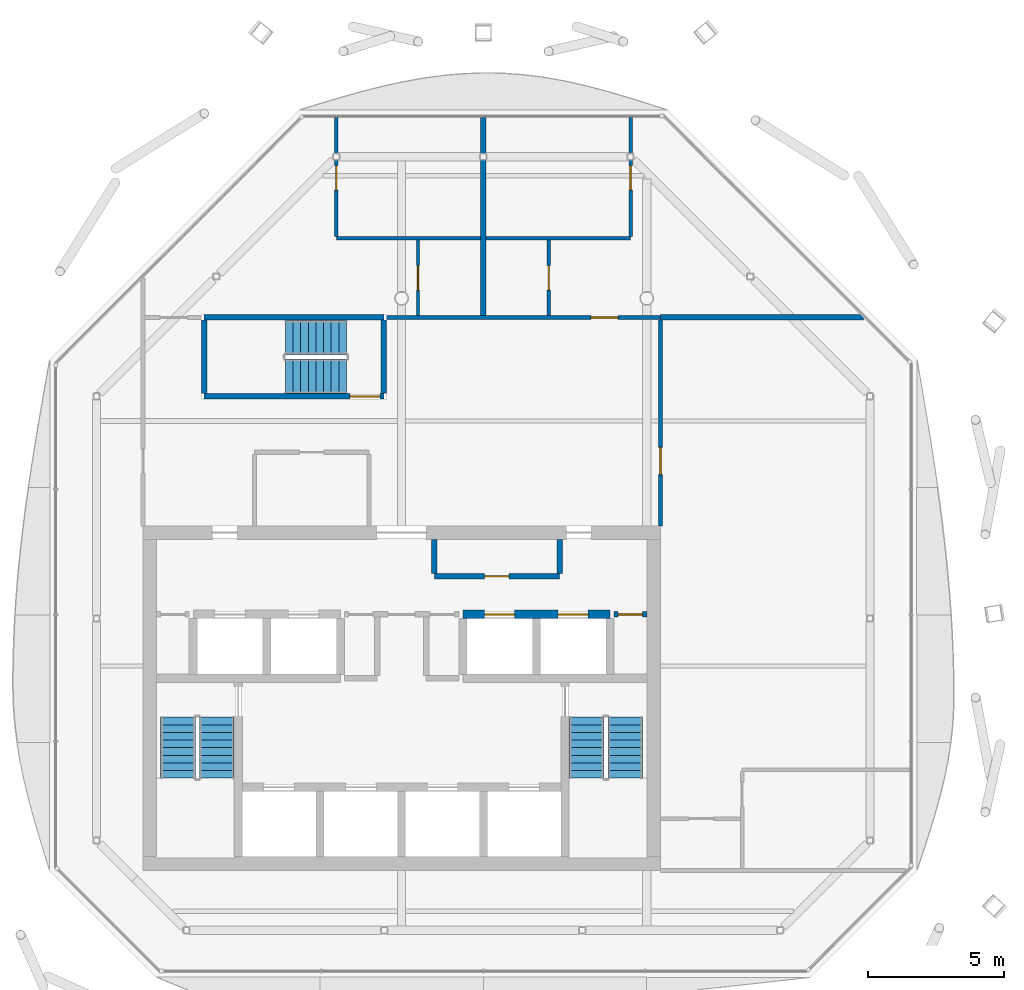
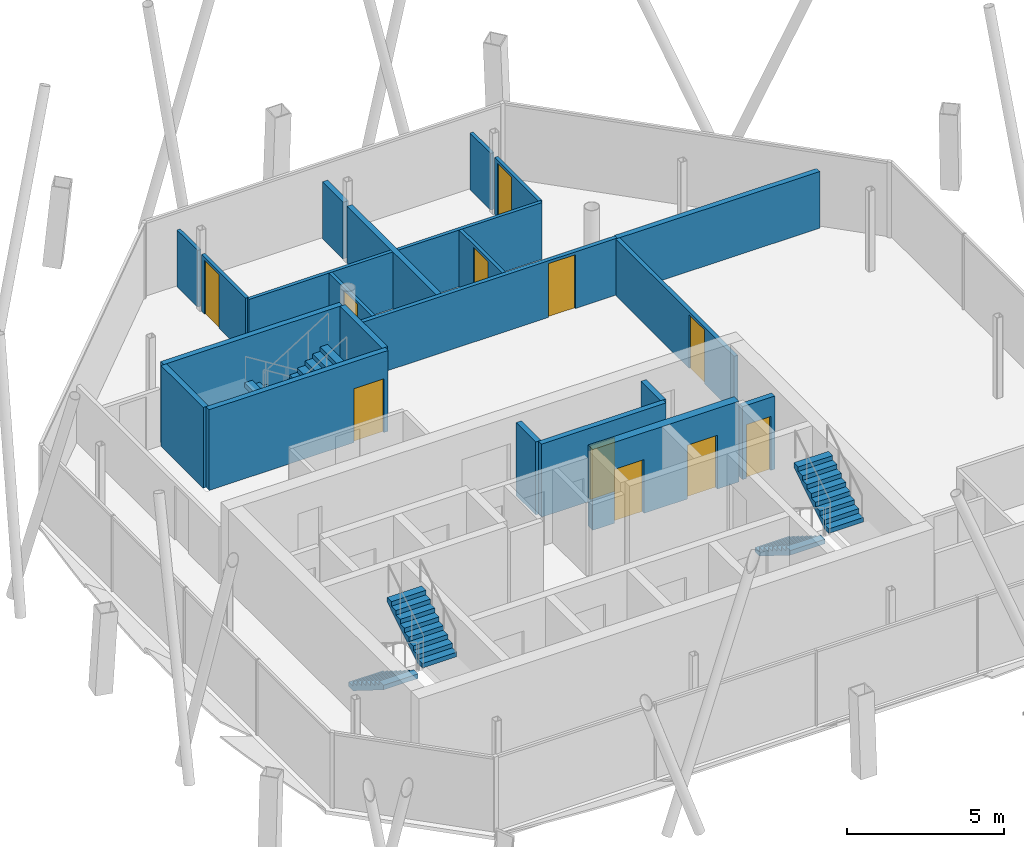
# One storey, part 10 of 13: 21 walls, 11 doors, 6 stair flights, 11 openings, 3 elements without a shape of their own.
"""IFC4 building model written with IfcOpenShell, lengths in metres."""

from ifc_helpers import new_model, si_unit, direction, frame, frame_2d, origin, place, context, subcontext, project, spatial, polyline, rectangle, outline, extrude, material, layer, layer_set, type_object, element, fill, aggregate, save


model = new_model("IFC4")

# Units and contexts
model_context = context("Model", 3, precision=1e-05, world=origin(), true_north=direction((0.0, 1.0)))
body_context = subcontext(model_context, "Body", "Model", "MODEL_VIEW")
ifc_project = project(units=[si_unit("LENGTHUNIT", "METRE"), si_unit("AREAUNIT", "SQUARE_METRE"), si_unit("VOLUMEUNIT", "CUBIC_METRE"), si_unit("PLANEANGLEUNIT", "RADIAN"), si_unit("MASSUNIT", "GRAM", prefix="KILO")], contexts=[model_context])

# Site, building, storey
site_placement = place(None, origin())
site = spatial("IfcSite", under=ifc_project, at=site_placement, CompositionType="ELEMENT")
building_placement = place(site_placement, origin())
building = spatial("IfcBuilding", under=site, at=building_placement, Name="Tskaro Facet Tower", CompositionType="ELEMENT")
storey_placement = place(building_placement, frame((0.0, 0.0, 278.39990234375)))
storey = spatial("IfcBuildingStorey", under=building, at=storey_placement, Name="L74", CompositionType="ELEMENT", Elevation=278.39990234375)

# Wall, openings, doors
ifc_material_1 = material(Name="Concrete C60/75", Category="concrete")
ifc_layer_1 = layer(ifc_material_1, 0.300048828125, Name="Concrete C60/75")
ifc_layer_set_1 = layer_set([ifc_layer_1], Name="Concrete C60/75")
wall_type_1 = type_object("IfcWallType", Name="CORE-SHAFT", PredefinedType="SHEAR", material=ifc_layer_set_1)
wall_1_placement = place(storey_placement, frame((2.25, -2.60009765625, 0.0), z_axis=(0.0, 0.0, 1.0), x_axis=(1.0, 0.0, 0.0)))
wall_1 = element("IfcWall", 1, at=wall_1_placement, inside=storey, type_object=wall_type_1, Name="Shaft wall W012", PredefinedType="SHEAR", context=body_context, shape_type="SweptSolid", body=[
    extrude(rectangle(XDim=5.39990234375, YDim=0.300048828125, at=frame_2d((2.699951171875, 0.0))), origin(), (0.0, 0.0, 1.0), 3.150146484375),
])
opening_1_placement = place(wall_1_placement, frame((0.800048828125, 0.0, 0.0)))
opening_1 = element("IfcOpeningElement", 2, at=opening_1_placement, cuts=wall_1, Name="Opening LD-HB3", PredefinedType="OPENING", context=body_context, shape_type="SweptSolid", body=[
    extrude(rectangle(XDim=1.10009765625, YDim=2.10009765625, at=frame_2d((0.550048828125, 1.050048828125))), frame((0.0, 0.159912109375, 0.0), z_axis=(0.0, -1.0, 0.0), x_axis=(1.0, 0.0, 0.0)), (0.0, 0.0, 1.0), 0.320068359375),
])
opening_2_placement = place(wall_1_placement, frame((3.5, 0.0, 0.0)))
opening_2 = element("IfcOpeningElement", 3, at=opening_2_placement, cuts=wall_1, Name="Opening LD-HB4", PredefinedType="OPENING", context=body_context, shape_type="SweptSolid", body=[
    extrude(rectangle(XDim=1.10009765625, YDim=2.10009765625, at=frame_2d((0.550048828125, 1.050048828125))), frame((0.0, 0.159912109375, 0.0), z_axis=(0.0, -1.0, 0.0), x_axis=(1.0, 0.0, 0.0)), (0.0, 0.0, 1.0), 0.320068359375),
])
ifc_material_2 = material(Name="Stainless steel", Category="steel")
door_type_1 = type_object("IfcDoorType", Name="D-LANDING", OperationType="NOTDEFINED", PredefinedType="DOOR", material=ifc_material_2)
door_1_placement = place(opening_1_placement, origin())
door_1 = element("IfcDoor", 4, at=door_1_placement, inside=storey, type_object=door_type_1, Name="Landing door HB3", OperationType="DOUBLE_DOOR_SLIDING", OverallHeight=2.10009765625, OverallWidth=1.10009765625, PredefinedType="DOOR", context=body_context, shape_type="SweptSolid", body=[
    extrude(rectangle(XDim=1.10009765625, YDim=2.10009765625, at=frame_2d((0.550048828125, 1.050048828125))), frame((0.0, 0.02490234375, 0.0), z_axis=(0.0, -1.0, 0.0), x_axis=(1.0, 0.0, 0.0)), (0.0, 0.0, 1.0), 0.050048828125),
])
fill(opening_1, door_1)
door_2_placement = place(opening_2_placement, origin())
door_2 = element("IfcDoor", 5, at=door_2_placement, inside=storey, type_object=door_type_1, Name="Landing door HB4", OperationType="DOUBLE_DOOR_SLIDING", OverallHeight=2.10009765625, OverallWidth=1.10009765625, PredefinedType="DOOR", context=body_context, shape_type="SweptSolid", body=[
    extrude(rectangle(XDim=1.10009765625, YDim=2.10009765625, at=frame_2d((0.550048828125, 1.050048828125))), frame((0.0, 0.02490234375, 0.0), z_axis=(0.0, -1.0, 0.0), x_axis=(1.0, 0.0, 0.0)), (0.0, 0.0, 1.0), 0.050048828125),
])
fill(opening_2, door_2)

# Wall, opening, door
ifc_material_3 = material(Name="Concrete C20/25", Category="concrete")
ifc_layer_2 = layer(ifc_material_3, 0.199951171875, Name="Concrete C20/25")
ifc_layer_set_2 = layer_set([ifc_layer_2], Name="Concrete C20/25")
wall_type_2 = type_object("IfcWallType", Name="CORE-WALL", PredefinedType="SOLIDWALL", material=ifc_layer_set_2)
wall_2_placement = place(storey_placement, frame((9.0, -2.60009765625, 0.0), z_axis=(0.0, 0.0, 1.0), x_axis=(-1.0, 0.0, 0.0)))
wall_2 = element("IfcWall", 6, at=wall_2_placement, inside=storey, type_object=wall_type_2, Name="Core room wall W013", PredefinedType="SOLIDWALL", context=body_context, shape_type="SweptSolid", body=[
    extrude(rectangle(XDim=1.199951171875, YDim=0.199951171875, at=frame_2d((0.60009765625, 0.0))), origin(), (0.0, 0.0, 1.0), 2.85009765625),
])
opening_3_placement = place(wall_2_placement, frame((0.14990234375, 0.0, 0.0)))
opening_3 = element("IfcOpeningElement", 7, at=opening_3_placement, cuts=wall_2, Name="Opening T22-D06", PredefinedType="OPENING", context=body_context, shape_type="SweptSolid", body=[
    extrude(rectangle(XDim=0.89990234375, YDim=2.10009765625, at=frame_2d((0.449951171875, 1.050048828125))), frame((0.0, 0.10986328125, 0.0), z_axis=(0.0, -1.0, 0.0), x_axis=(1.0, 0.0, 0.0)), (0.0, 0.0, 1.0), 0.219970703125),
])
ifc_material_4 = material(Name="Timber", Category="wood")
door_type_2 = type_object("IfcDoorType", Name="D-ROOM", OperationType="NOTDEFINED", PredefinedType="DOOR", material=ifc_material_4)
door_3_placement = place(opening_3_placement, origin())
door_3 = element("IfcDoor", 8, at=door_3_placement, inside=storey, type_object=door_type_2, Name="Door T22-D06", OperationType="SINGLE_SWING_RIGHT", OverallHeight=2.10009765625, OverallWidth=0.89990234375, PredefinedType="DOOR", context=body_context, shape_type="SweptSolid", body=[
    extrude(rectangle(XDim=0.89990234375, YDim=2.10009765625, at=frame_2d((0.449951171875, 1.050048828125))), frame((0.0, 0.02490234375, 0.0), z_axis=(0.0, -1.0, 0.0), x_axis=(1.0, 0.0, 0.0)), (0.0, 0.0, 1.0), 0.050048828125),
])
fill(opening_3, door_3)

wall_3_placement = place(storey_placement, frame((1.199951171875, -1.199951171875, 0.0), z_axis=(0.0, 0.0, 1.0), x_axis=(1.0, 0.0, 0.0)))
wall_3 = element("IfcWall", 9, at=wall_3_placement, inside=storey, type_object=wall_type_2, Name="Core room wall W014", PredefinedType="SOLIDWALL", context=body_context, shape_type="SweptSolid", body=[
    extrude(rectangle(XDim=4.60009765625, YDim=0.199951171875, at=frame_2d((2.300048828125, 0.0))), origin(), (0.0, 0.0, 1.0), 2.85009765625),
])
opening_4_placement = place(wall_3_placement, frame((1.85009765625, 0.0, 0.0)))
opening_4 = element("IfcOpeningElement", 10, at=opening_4_placement, cuts=wall_3, Name="Opening T22-D07", PredefinedType="OPENING", context=body_context, shape_type="SweptSolid", body=[
    extrude(rectangle(XDim=0.89990234375, YDim=2.10009765625, at=frame_2d((0.449951171875, 1.050048828125))), frame((0.0, 0.10986328125, 0.0), z_axis=(0.0, -1.0, 0.0), x_axis=(1.0, 0.0, 0.0)), (0.0, 0.0, 1.0), 0.219970703125),
])
door_4_placement = place(opening_4_placement, origin())
door_4 = element("IfcDoor", 11, at=door_4_placement, inside=storey, type_object=door_type_2, Name="Door T22-D07", OperationType="SINGLE_SWING_LEFT", OverallHeight=2.10009765625, OverallWidth=0.89990234375, PredefinedType="DOOR", context=body_context, shape_type="SweptSolid", body=[
    extrude(rectangle(XDim=0.89990234375, YDim=2.10009765625, at=frame_2d((0.449951171875, 1.050048828125))), frame((0.0, 0.02490234375, 0.0), z_axis=(0.0, -1.0, 0.0), x_axis=(1.0, 0.0, 0.0)), (0.0, 0.0, 1.0), 0.050048828125),
])
fill(opening_4, door_4)

# Walls
for number, where, z_axis, x_axis, name in (
    (12, (1.199951171875, -1.10009765625, 0.0), (0.0, 0.0, 1.0), (0.0, 1.0, 0.0), "Core room wall W038"),
    (13, (5.800048828125, -1.10009765625, 0.0), (0.0, 0.0, 1.0), (0.0, 1.0, 0.0), "Core room wall W045"),
):
    element("IfcWall", number, at=place(storey_placement, frame(where, z_axis=z_axis, x_axis=x_axis)), inside=storey, type_object=wall_type_2, Name=name, PredefinedType="SOLIDWALL", context=body_context, shape_type="SweptSolid", body=[
        extrude(rectangle(XDim=1.25, YDim=0.199951171875, at=frame_2d((0.625, 0.0))), origin(), (0.0, 0.0, 1.0), 2.85009765625),
    ])
ifc_material_5 = material(Name="Gypsum board on steel studs", Category="steel")
ifc_layer_3 = layer(ifc_material_5, 0.125, Name="Gypsum board on steel studs")
ifc_layer_set_3 = layer_set([ifc_layer_3], Name="Gypsum board on steel studs")
wall_type_3 = type_object("IfcWallType", Name="PART", PredefinedType="PARTITIONING", material=ifc_layer_set_3)
wall_4_placement = place(storey_placement, frame((-2.39990234375, 11.199951171875, 0.0), z_axis=(0.0, 0.0, 1.0), x_axis=(1.0, 0.0, 0.0)))
element("IfcWall", 14, at=wall_4_placement, inside=storey, type_object=wall_type_3, Name="Partition W021", PredefinedType="PARTITIONING", context=body_context, shape_type="SweptSolid", body=[
    extrude(rectangle(XDim=10.804931640625, YDim=0.125, at=frame_2d((5.40234375, 0.0))), origin(), (0.0, 0.0, 1.0), 2.210205078125),
])

# Wall, opening, door
wall_5_placement = place(storey_placement, frame((-2.39990234375, 14.074951171875, 0.0), z_axis=(0.0, 0.0, 1.0), x_axis=(0.0, -1.0, 0.0)))
wall_5 = element("IfcWall", 15, at=wall_5_placement, inside=storey, type_object=wall_type_3, Name="Partition W029", PredefinedType="PARTITIONING", context=body_context, shape_type="SweptSolid", body=[
    extrude(rectangle(XDim=2.8125, YDim=0.125, at=frame_2d((1.40625, 0.0))), origin(), (0.0, 0.0, 1.0), 2.210205078125),
])
opening_5_placement = place(wall_5_placement, frame((0.200927734375, 0.0, 0.0)))
opening_5 = element("IfcOpeningElement", 16, at=opening_5_placement, cuts=wall_5, Name="Opening T22-D18", PredefinedType="OPENING", context=body_context, shape_type="SweptSolid", body=[
    extrude(rectangle(XDim=0.89990234375, YDim=2.10009765625, at=frame_2d((0.449951171875, 1.050048828125))), frame((0.0, 0.072509765625, 0.0), z_axis=(0.0, -1.0, 0.0), x_axis=(1.0, 0.0, 0.0)), (0.0, 0.0, 1.0), 0.14501953125),
])
door_5_placement = place(opening_5_placement, origin())
door_5 = element("IfcDoor", 17, at=door_5_placement, inside=storey, type_object=door_type_2, Name="Door T22-D18", OperationType="SINGLE_SWING_RIGHT", OverallHeight=2.10009765625, OverallWidth=0.89990234375, PredefinedType="DOOR", context=body_context, shape_type="SweptSolid", body=[
    extrude(rectangle(XDim=0.89990234375, YDim=2.10009765625, at=frame_2d((0.449951171875, 1.050048828125))), frame((0.0, 0.02490234375, 0.0), z_axis=(0.0, -1.0, 0.0), x_axis=(1.0, 0.0, 0.0)), (0.0, 0.0, 1.0), 0.050048828125),
])
fill(opening_5, door_5)

# Wall
wall_6_placement = place(storey_placement, frame((-2.39990234375, 14.324951171875, 0.0), z_axis=(0.0, 0.0, 1.0), x_axis=(0.0, 1.0, 0.0)))
element("IfcWall", 18, at=wall_6_placement, inside=storey, type_object=wall_type_3, Name="Partition W030", PredefinedType="PARTITIONING", context=body_context, shape_type="SweptSolid", body=[
    extrude(rectangle(XDim=1.322998046875, YDim=0.125, at=frame_2d((0.66162109375, 0.0))), origin(), (0.0, 0.0, 1.0), 2.210205078125),
])

# Wall, opening, door
wall_7_placement = place(storey_placement, frame((0.60009765625, 11.137451171875, 0.0), z_axis=(0.0, 0.0, 1.0), x_axis=(0.0, -1.0, 0.0)))
wall_7 = element("IfcWall", 19, at=wall_7_placement, inside=storey, type_object=wall_type_3, Name="Partition W036", PredefinedType="PARTITIONING", context=body_context, shape_type="SweptSolid", body=[
    extrude(rectangle(XDim=2.762451171875, YDim=0.125, at=frame_2d((1.38134765625, 0.0))), origin(), (0.0, 0.0, 1.0), 2.210205078125),
])
opening_6_placement = place(wall_7_placement, frame((0.9375, 0.0, 0.0)))
opening_6 = element("IfcOpeningElement", 20, at=opening_6_placement, cuts=wall_7, Name="Opening T22-D16", PredefinedType="OPENING", context=body_context, shape_type="SweptSolid", body=[
    extrude(rectangle(XDim=0.89990234375, YDim=2.10009765625, at=frame_2d((0.449951171875, 1.050048828125))), frame((0.0, 0.072509765625, 0.0), z_axis=(0.0, -1.0, 0.0), x_axis=(1.0, 0.0, 0.0)), (0.0, 0.0, 1.0), 0.14501953125),
])
door_6_placement = place(opening_6_placement, origin())
door_6 = element("IfcDoor", 21, at=door_6_placement, inside=storey, type_object=door_type_2, Name="Door T22-D16", OperationType="SINGLE_SWING_RIGHT", OverallHeight=2.10009765625, OverallWidth=0.89990234375, PredefinedType="DOOR", context=body_context, shape_type="SweptSolid", body=[
    extrude(rectangle(XDim=0.89990234375, YDim=2.10009765625, at=frame_2d((0.449951171875, 1.050048828125))), frame((0.0, 0.02490234375, 0.0), z_axis=(0.0, -1.0, 0.0), x_axis=(1.0, 0.0, 0.0)), (0.0, 0.0, 1.0), 0.050048828125),
])
fill(opening_6, door_6)

wall_8_placement = place(storey_placement, frame((5.39990234375, 8.375, 0.0), z_axis=(0.0, 0.0, 1.0), x_axis=(0.0, 1.0, 0.0)))
wall_8 = element("IfcWall", 22, at=wall_8_placement, inside=storey, type_object=wall_type_3, Name="Partition W044", PredefinedType="PARTITIONING", context=body_context, shape_type="SweptSolid", body=[
    extrude(rectangle(XDim=2.762451171875, YDim=0.125, at=frame_2d((1.38134765625, 0.0))), origin(), (0.0, 0.0, 1.0), 2.210205078125),
])
opening_7_placement = place(wall_8_placement, frame((0.925048828125, 0.0, 0.0)))
opening_7 = element("IfcOpeningElement", 23, at=opening_7_placement, cuts=wall_8, Name="Opening T22-D17", PredefinedType="OPENING", context=body_context, shape_type="SweptSolid", body=[
    extrude(rectangle(XDim=0.89990234375, YDim=2.10009765625, at=frame_2d((0.449951171875, 1.050048828125))), frame((0.0, 0.072509765625, 0.0), z_axis=(0.0, -1.0, 0.0), x_axis=(1.0, 0.0, 0.0)), (0.0, 0.0, 1.0), 0.14501953125),
])
door_7_placement = place(opening_7_placement, origin())
door_7 = element("IfcDoor", 24, at=door_7_placement, inside=storey, type_object=door_type_2, Name="Door T22-D17", OperationType="SINGLE_SWING_LEFT", OverallHeight=2.10009765625, OverallWidth=0.89990234375, PredefinedType="DOOR", context=body_context, shape_type="SweptSolid", body=[
    extrude(rectangle(XDim=0.89990234375, YDim=2.10009765625, at=frame_2d((0.449951171875, 1.050048828125))), frame((0.0, 0.02490234375, 0.0), z_axis=(0.0, -1.0, 0.0), x_axis=(1.0, 0.0, 0.0)), (0.0, 0.0, 1.0), 0.050048828125),
])
fill(opening_7, door_7)

wall_9_placement = place(storey_placement, frame((8.405029296875, 11.262451171875, 0.0), z_axis=(0.0, 0.0, 1.0), x_axis=(0.0, 1.0, 0.0)))
wall_9 = element("IfcWall", 25, at=wall_9_placement, inside=storey, type_object=wall_type_3, Name="Partition W048", PredefinedType="PARTITIONING", context=body_context, shape_type="SweptSolid", body=[
    extrude(rectangle(XDim=2.8125, YDim=0.125, at=frame_2d((1.40625, 0.0))), origin(), (0.0, 0.0, 1.0), 2.210205078125),
])
opening_8_placement = place(wall_9_placement, frame((1.71142578125, 0.0, 0.0)))
opening_8 = element("IfcOpeningElement", 26, at=opening_8_placement, cuts=wall_9, Name="Opening T22-D19", PredefinedType="OPENING", context=body_context, shape_type="SweptSolid", body=[
    extrude(rectangle(XDim=0.89990234375, YDim=2.10009765625, at=frame_2d((0.449951171875, 1.050048828125))), frame((0.0, 0.072509765625, 0.0), z_axis=(0.0, -1.0, 0.0), x_axis=(1.0, 0.0, 0.0)), (0.0, 0.0, 1.0), 0.14501953125),
])
door_8_placement = place(opening_8_placement, origin())
door_8 = element("IfcDoor", 27, at=door_8_placement, inside=storey, type_object=door_type_2, Name="Door T22-D19", OperationType="SINGLE_SWING_LEFT", OverallHeight=2.10009765625, OverallWidth=0.89990234375, PredefinedType="DOOR", context=body_context, shape_type="SweptSolid", body=[
    extrude(rectangle(XDim=0.89990234375, YDim=2.10009765625, at=frame_2d((0.449951171875, 1.050048828125))), frame((0.0, 0.02490234375, 0.0), z_axis=(0.0, -1.0, 0.0), x_axis=(1.0, 0.0, 0.0)), (0.0, 0.0, 1.0), 0.050048828125),
])
fill(opening_8, door_8)

# Wall
wall_10_placement = place(storey_placement, frame((8.405029296875, 14.324951171875, 0.0), z_axis=(0.0, 0.0, 1.0), x_axis=(0.0, 1.0, 0.0)))
element("IfcWall", 28, at=wall_10_placement, inside=storey, type_object=wall_type_3, Name="Partition W049", PredefinedType="PARTITIONING", context=body_context, shape_type="SweptSolid", body=[
    extrude(rectangle(XDim=1.322998046875, YDim=0.125, at=frame_2d((0.66162109375, 0.0))), origin(), (0.0, 0.0, 1.0), 2.210205078125),
])

# Wall, opening, door
ifc_layer_4 = layer(ifc_material_5, 0.14990234375, Name="Gypsum board on steel studs")
ifc_layer_set_4 = layer_set([ifc_layer_4], Name="Gypsum board on steel studs")
wall_type_4 = type_object("IfcWallType", Name="PART-CORR", PredefinedType="PARTITIONING", material=ifc_layer_set_4)
wall_11_placement = place(storey_placement, frame((-0.550048828125, 8.300048828125, 0.0), z_axis=(0.0, 0.0, 1.0), x_axis=(1.0, 0.0, 0.0)))
wall_11 = element("IfcWall", 29, at=wall_11_placement, inside=storey, type_object=wall_type_4, Name="Corridor wall W019", PredefinedType="PARTITIONING", context=body_context, shape_type="SweptSolid", body=[
    extrude(rectangle(XDim=10.050048828125, YDim=0.14990234375, at=frame_2d((5.02490234375, 0.0))), origin(), (0.0, 0.0, 1.0), 2.210205078125),
])
opening_9_placement = place(wall_11_placement, frame((7.5, 0.0, 0.0)))
opening_9 = element("IfcOpeningElement", 30, at=opening_9_placement, cuts=wall_11, Name="Opening T22-D15", PredefinedType="OPENING", context=body_context, shape_type="SweptSolid", body=[
    extrude(rectangle(XDim=1.0, YDim=2.10009765625, at=frame_2d((0.5, 1.050048828125))), frame((0.0, 0.0849609375, 0.0), z_axis=(0.0, -1.0, 0.0), x_axis=(1.0, 0.0, 0.0)), (0.0, 0.0, 1.0), 0.169921875),
])
door_type_3 = type_object("IfcDoorType", Name="D-FLAT-ENTRY", OperationType="NOTDEFINED", PredefinedType="DOOR", material=ifc_material_4)
door_9_placement = place(opening_9_placement, origin())
door_9 = element("IfcDoor", 31, at=door_9_placement, inside=storey, type_object=door_type_3, Name="Door T22-D15", OperationType="SINGLE_SWING_LEFT", OverallHeight=2.10009765625, OverallWidth=1.0, PredefinedType="DOOR", context=body_context, shape_type="SweptSolid", body=[
    extrude(rectangle(XDim=1.0, YDim=2.10009765625, at=frame_2d((0.5, 1.050048828125))), frame((0.0, 0.02490234375, 0.0), z_axis=(0.0, -1.0, 0.0), x_axis=(1.0, 0.0, 0.0)), (0.0, 0.0, 1.0), 0.050048828125),
])
fill(opening_9, door_9)

wall_12_placement = place(storey_placement, frame((9.5, 8.199951171875, 0.0), z_axis=(0.0, 0.0, 1.0), x_axis=(0.0, -1.0, 0.0)))
wall_12 = element("IfcWall", 32, at=wall_12_placement, inside=storey, type_object=wall_type_4, Name="Corridor wall W050", PredefinedType="PARTITIONING", context=body_context, shape_type="SweptSolid", body=[
    extrude(rectangle(XDim=7.550048828125, YDim=0.14990234375, at=frame_2d((3.77490234375, 0.0))), origin(), (0.0, 0.0, 1.0), 2.210205078125),
])
opening_10_placement = place(wall_12_placement, frame((4.675048828125, 0.0, 0.0)))
opening_10 = element("IfcOpeningElement", 33, at=opening_10_placement, cuts=wall_12, Name="Opening T22-D12", PredefinedType="OPENING", context=body_context, shape_type="SweptSolid", body=[
    extrude(rectangle(XDim=1.0, YDim=2.10009765625, at=frame_2d((0.5, 1.050048828125))), frame((0.0, 0.0849609375, 0.0), z_axis=(0.0, -1.0, 0.0), x_axis=(1.0, 0.0, 0.0)), (0.0, 0.0, 1.0), 0.169921875),
])
door_10_placement = place(opening_10_placement, origin())
door_10 = element("IfcDoor", 34, at=door_10_placement, inside=storey, type_object=door_type_3, Name="Door T22-D12", OperationType="SINGLE_SWING_LEFT", OverallHeight=2.10009765625, OverallWidth=1.0, PredefinedType="DOOR", context=body_context, shape_type="SweptSolid", body=[
    extrude(rectangle(XDim=1.0, YDim=2.10009765625, at=frame_2d((0.5, 1.050048828125))), frame((0.0, 0.02490234375, 0.0), z_axis=(0.0, -1.0, 0.0), x_axis=(1.0, 0.0, 0.0)), (0.0, 0.0, 1.0), 0.050048828125),
])
fill(opening_10, door_10)

# Walls
ifc_layer_5 = layer(ifc_material_5, 0.199951171875, Name="Gypsum board on steel studs")
ifc_layer_set_5 = layer_set([ifc_layer_5], Name="Gypsum board on steel studs")
wall_type_5 = type_object("IfcWallType", Name="PART-DEMISING", PredefinedType="PARTITIONING", material=ifc_layer_set_5)
wall_13_placement = place(storey_placement, frame((9.5, 8.300048828125, 0.0), z_axis=(0.0, 0.0, 1.0), x_axis=(1.0, 0.0, 0.0)))
element("IfcWall", 35, at=wall_13_placement, inside=storey, type_object=wall_type_5, Name="Guest room wall W020", PredefinedType="PARTITIONING", context=body_context, shape_type="SweptSolid", body=[
    extrude(rectangle(XDim=7.4541015625, YDim=0.199951171875, at=frame_2d((3.72705078125, 0.0))), origin(), (0.0, 0.0, 1.0), 2.210205078125),
])
wall_14_placement = place(storey_placement, frame((3.0, 8.375, 0.0), z_axis=(0.0, 0.0, 1.0), x_axis=(0.0, 1.0, 0.0)))
element("IfcWall", 36, at=wall_14_placement, inside=storey, type_object=wall_type_5, Name="Guest room wall W041", PredefinedType="PARTITIONING", context=body_context, shape_type="SweptSolid", body=[
    extrude(rectangle(XDim=5.699951171875, YDim=0.199951171875, at=frame_2d((2.85009765625, 0.0))), origin(), (0.0, 0.0, 1.0), 2.210205078125),
])
wall_15_placement = place(storey_placement, frame((3.0, 14.324951171875, 0.0), z_axis=(0.0, 0.0, 1.0), x_axis=(0.0, 1.0, 0.0)))
element("IfcWall", 37, at=wall_15_placement, inside=storey, type_object=wall_type_5, Name="Guest room wall W042", PredefinedType="PARTITIONING", context=body_context, shape_type="SweptSolid", body=[
    extrude(rectangle(XDim=1.322998046875, YDim=0.199951171875, at=frame_2d((0.66162109375, 0.0))), origin(), (0.0, 0.0, 1.0), 2.210205078125),
])

# Wall, opening, door
ifc_layer_6 = layer(ifc_material_1, 0.199951171875, Name="Concrete C60/75")
ifc_layer_set_6 = layer_set([ifc_layer_6], Name="Concrete C60/75")
wall_type_6 = type_object("IfcWallType", Name="STAIR-WALL", PredefinedType="SHEAR", material=ifc_layer_set_6)
wall_16_placement = place(storey_placement, frame((-7.25, 5.39990234375, 0.0), z_axis=(0.0, 0.0, 1.0), x_axis=(1.0, 0.0, 0.0)))
wall_16 = element("IfcWall", 38, at=wall_16_placement, inside=storey, type_object=wall_type_6, Name="Stair wall W016", PredefinedType="SHEAR", context=body_context, shape_type="SweptSolid", body=[
    extrude(rectangle(XDim=6.60009765625, YDim=0.199951171875, at=frame_2d((3.300048828125, 0.0))), origin(), (0.0, 0.0, 1.0), 3.150146484375),
])
opening_11_placement = place(wall_16_placement, frame((5.35009765625, 0.0, 0.0)))
opening_11 = element("IfcOpeningElement", 39, at=opening_11_placement, cuts=wall_16, Name="Opening ST-3-D1", PredefinedType="OPENING", context=body_context, shape_type="SweptSolid", body=[
    extrude(rectangle(XDim=1.10009765625, YDim=2.10009765625, at=frame_2d((0.550048828125, 1.050048828125))), frame((0.0, 0.10986328125, 0.0), z_axis=(0.0, -1.0, 0.0), x_axis=(1.0, 0.0, 0.0)), (0.0, 0.0, 1.0), 0.219970703125),
])
ifc_material_6 = material(Name="Steel", Category="steel")
door_type_4 = type_object("IfcDoorType", Name="D-STAIR", OperationType="NOTDEFINED", PredefinedType="DOOR", material=ifc_material_6)
door_11_placement = place(opening_11_placement, origin())
door_11 = element("IfcDoor", 40, at=door_11_placement, inside=storey, type_object=door_type_4, Name="Stair door 3", OperationType="SINGLE_SWING_LEFT", OverallHeight=2.10009765625, OverallWidth=1.10009765625, PredefinedType="DOOR", context=body_context, shape_type="SweptSolid", body=[
    extrude(rectangle(XDim=1.10009765625, YDim=2.10009765625, at=frame_2d((0.550048828125, 1.050048828125))), frame((0.0, 0.02490234375, 0.0), z_axis=(0.0, -1.0, 0.0), x_axis=(1.0, 0.0, 0.0)), (0.0, 0.0, 1.0), 0.050048828125),
])
fill(opening_11, door_11)

# Walls
wall_17_placement = place(storey_placement, frame((-7.25, 8.300048828125, 0.0), z_axis=(0.0, 0.0, 1.0), x_axis=(1.0, 0.0, 0.0)))
element("IfcWall", 41, at=wall_17_placement, inside=storey, type_object=wall_type_6, Name="Stair wall W018", PredefinedType="SHEAR", context=body_context, shape_type="SweptSolid", body=[
    extrude(rectangle(XDim=6.60009765625, YDim=0.199951171875, at=frame_2d((3.300048828125, 0.0))), origin(), (0.0, 0.0, 1.0), 3.150146484375),
])
for number, where, z_axis, x_axis, name in (
    (42, (-7.25, 5.5, 0.0), (0.0, 0.0, 1.0), (0.0, 1.0, 0.0), "Stair wall W024"),
    (43, (-0.64990234375, 5.5, 0.0), (0.0, 0.0, 1.0), (0.0, 1.0, 0.0), "Stair wall W034"),
):
    element("IfcWall", number, at=place(storey_placement, frame(where, z_axis=z_axis, x_axis=x_axis)), inside=storey, type_object=wall_type_6, Name=name, PredefinedType="SHEAR", context=body_context, shape_type="SweptSolid", body=[
        extrude(rectangle(XDim=2.699951171875, YDim=0.199951171875, at=frame_2d((1.35009765625, 0.0))), origin(), (0.0, 0.0, 1.0), 3.150146484375),
    ])

# Stair, stair flights
ifc_material_7 = material(Name="Concrete C40/50", Category="concrete")
stair_type = type_object("IfcStairType", Name="ST-TWR", PredefinedType="HALF_TURN_STAIR", material=ifc_material_7)
stair_1_placement = place(storey_placement, origin())
stair_1 = element("IfcStair", 44, at=stair_1_placement, inside=storey, type_object=stair_type, Name="L74 Exit stair 1", PredefinedType="HALF_TURN_STAIR")
stair_flight_type = type_object("IfcStairFlightType", Name="SFL-RC", PredefinedType="STRAIGHT", material=ifc_material_7)
stair_flight_1_placement = place(storey_placement, frame((-8.21240234375, -6.375, 0.0), z_axis=(0.0, 0.0, 1.0), x_axis=(0.0, -1.0, 0.0)))
stair_flight_1 = element("IfcStairFlight", 45, at=stair_flight_1_placement, type_object=stair_flight_type, Name="ST-1 flight 1", NumberOfRisers=9, NumberOfTreads=8, PredefinedType="STRAIGHT", RiserHeight=0.175, TreadLength=0.28, context=body_context, shape_type="SweptSolid", body=[
    extrude(outline(polyline([(0.0, 0.0), (0.0, 0.175048828125), (0.280029296875, 0.175048828125), (0.280029296875, 0.35009765625), (0.56005859375, 0.35009765625), (0.56005859375, 0.52490234375), (0.840087890625, 0.52490234375), (0.840087890625, 0.699951171875), (1.1201171875, 0.699951171875), (1.1201171875, 0.875), (1.39990234375, 0.875), (1.39990234375, 1.050048828125), (1.679931640625, 1.050048828125), (1.679931640625, 1.22509765625), (1.9599609375, 1.22509765625), (1.9599609375, 1.39990234375), (2.239990234375, 1.39990234375), (2.239990234375, 1.574951171875), (2.239990234375, 1.22314453125), (0.28271484375, 0.0), (0.0, 0.0)])), frame((0.0, 0.637451171875, 0.0), z_axis=(0.0, -1.0, 0.0), x_axis=(1.0, 0.0, 0.0)), (0.0, 0.0, 1.0), 1.27490234375),
])
stair_flight_2_placement = place(storey_placement, frame((-6.78759765625, -8.614990234375, 1.5751953125), z_axis=(0.0, 0.0, 1.0), x_axis=(0.0, 1.0, 0.0)))
stair_flight_2 = element("IfcStairFlight", 46, at=stair_flight_2_placement, type_object=stair_flight_type, Name="ST-1 flight 2", NumberOfRisers=9, NumberOfTreads=8, PredefinedType="STRAIGHT", RiserHeight=0.175, TreadLength=0.28, context=body_context, shape_type="SweptSolid", body=[
    extrude(outline(polyline([(0.0, 0.0), (0.0, 0.175048828125), (0.280029296875, 0.175048828125), (0.280029296875, 0.35009765625), (0.56005859375, 0.35009765625), (0.56005859375, 0.52490234375), (0.840087890625, 0.52490234375), (0.840087890625, 0.699951171875), (1.1201171875, 0.699951171875), (1.1201171875, 0.875), (1.39990234375, 0.875), (1.39990234375, 1.050048828125), (1.679931640625, 1.050048828125), (1.679931640625, 1.22509765625), (1.9599609375, 1.22509765625), (1.9599609375, 1.39990234375), (2.239990234375, 1.39990234375), (2.239990234375, 1.574951171875), (2.239990234375, 1.22314453125), (0.28271484375, 0.0), (0.0, 0.0)])), frame((0.0, 0.637451171875, 0.0), z_axis=(0.0, -1.0, 0.0), x_axis=(1.0, 0.0, 0.0)), (0.0, 0.0, 1.0), 1.27490234375),
])
aggregate(stair_1, [stair_flight_1, stair_flight_2])

stair_2_placement = place(storey_placement, origin())
stair_2 = element("IfcStair", 47, at=stair_2_placement, inside=storey, type_object=stair_type, Name="L74 Exit stair 2", PredefinedType="HALF_TURN_STAIR")
stair_flight_3_placement = place(storey_placement, frame((6.78759765625, -6.375, 0.0), z_axis=(0.0, 0.0, 1.0), x_axis=(0.0, -1.0, 0.0)))
stair_flight_3 = element("IfcStairFlight", 48, at=stair_flight_3_placement, type_object=stair_flight_type, Name="ST-2 flight 1", NumberOfRisers=9, NumberOfTreads=8, PredefinedType="STRAIGHT", RiserHeight=0.175, TreadLength=0.28, context=body_context, shape_type="SweptSolid", body=[
    extrude(outline(polyline([(0.0, 0.0), (0.0, 0.175048828125), (0.280029296875, 0.175048828125), (0.280029296875, 0.35009765625), (0.56005859375, 0.35009765625), (0.56005859375, 0.52490234375), (0.840087890625, 0.52490234375), (0.840087890625, 0.699951171875), (1.1201171875, 0.699951171875), (1.1201171875, 0.875), (1.39990234375, 0.875), (1.39990234375, 1.050048828125), (1.679931640625, 1.050048828125), (1.679931640625, 1.22509765625), (1.9599609375, 1.22509765625), (1.9599609375, 1.39990234375), (2.239990234375, 1.39990234375), (2.239990234375, 1.574951171875), (2.239990234375, 1.22314453125), (0.28271484375, 0.0), (0.0, 0.0)])), frame((0.0, 0.637451171875, 0.0), z_axis=(0.0, -1.0, 0.0), x_axis=(1.0, 0.0, 0.0)), (0.0, 0.0, 1.0), 1.27490234375),
])
stair_flight_4_placement = place(storey_placement, frame((8.21240234375, -8.614990234375, 1.5751953125), z_axis=(0.0, 0.0, 1.0), x_axis=(0.0, 1.0, 0.0)))
stair_flight_4 = element("IfcStairFlight", 49, at=stair_flight_4_placement, type_object=stair_flight_type, Name="ST-2 flight 2", NumberOfRisers=9, NumberOfTreads=8, PredefinedType="STRAIGHT", RiserHeight=0.175, TreadLength=0.28, context=body_context, shape_type="SweptSolid", body=[
    extrude(outline(polyline([(0.0, 0.0), (0.0, 0.175048828125), (0.280029296875, 0.175048828125), (0.280029296875, 0.35009765625), (0.56005859375, 0.35009765625), (0.56005859375, 0.52490234375), (0.840087890625, 0.52490234375), (0.840087890625, 0.699951171875), (1.1201171875, 0.699951171875), (1.1201171875, 0.875), (1.39990234375, 0.875), (1.39990234375, 1.050048828125), (1.679931640625, 1.050048828125), (1.679931640625, 1.22509765625), (1.9599609375, 1.22509765625), (1.9599609375, 1.39990234375), (2.239990234375, 1.39990234375), (2.239990234375, 1.574951171875), (2.239990234375, 1.22314453125), (0.28271484375, 0.0), (0.0, 0.0)])), frame((0.0, 0.637451171875, 0.0), z_axis=(0.0, -1.0, 0.0), x_axis=(1.0, 0.0, 0.0)), (0.0, 0.0, 1.0), 1.27490234375),
])
aggregate(stair_2, [stair_flight_3, stair_flight_4])

stair_3_placement = place(storey_placement, origin())
stair_3 = element("IfcStair", 50, at=stair_3_placement, inside=storey, type_object=stair_type, Name="L74 Exit stair 3", PredefinedType="HALF_TURN_STAIR")
stair_flight_5_placement = place(storey_placement, frame((-2.02490234375, 7.5625, 0.0), z_axis=(0.0, 0.0, 1.0), x_axis=(-1.0, 0.0, 0.0)))
stair_flight_5 = element("IfcStairFlight", 51, at=stair_flight_5_placement, type_object=stair_flight_type, Name="ST-3 flight 1", NumberOfRisers=9, NumberOfTreads=8, PredefinedType="STRAIGHT", RiserHeight=0.175, TreadLength=0.28, context=body_context, shape_type="SweptSolid", body=[
    extrude(outline(polyline([(0.0, 0.0), (0.0, 0.175048828125), (0.280029296875, 0.175048828125), (0.280029296875, 0.35009765625), (0.56005859375, 0.35009765625), (0.56005859375, 0.52490234375), (0.840087890625, 0.52490234375), (0.840087890625, 0.699951171875), (1.1201171875, 0.699951171875), (1.1201171875, 0.875), (1.39990234375, 0.875), (1.39990234375, 1.050048828125), (1.679931640625, 1.050048828125), (1.679931640625, 1.22509765625), (1.9599609375, 1.22509765625), (1.9599609375, 1.39990234375), (2.239990234375, 1.39990234375), (2.239990234375, 1.574951171875), (2.239990234375, 1.22314453125), (0.28271484375, 0.0), (0.0, 0.0)])), frame((0.0, 0.637451171875, 0.0), z_axis=(0.0, -1.0, 0.0), x_axis=(1.0, 0.0, 0.0)), (0.0, 0.0, 1.0), 1.27490234375),
])
stair_flight_6_placement = place(storey_placement, frame((-4.264892578125, 6.137451171875, 1.5751953125), z_axis=(0.0, 0.0, 1.0), x_axis=(1.0, 0.0, 0.0)))
stair_flight_6 = element("IfcStairFlight", 52, at=stair_flight_6_placement, type_object=stair_flight_type, Name="ST-3 flight 2", NumberOfRisers=9, NumberOfTreads=8, PredefinedType="STRAIGHT", RiserHeight=0.175, TreadLength=0.28, context=body_context, shape_type="SweptSolid", body=[
    extrude(outline(polyline([(0.0, 0.0), (0.0, 0.175048828125), (0.280029296875, 0.175048828125), (0.280029296875, 0.35009765625), (0.56005859375, 0.35009765625), (0.56005859375, 0.52490234375), (0.840087890625, 0.52490234375), (0.840087890625, 0.699951171875), (1.1201171875, 0.699951171875), (1.1201171875, 0.875), (1.39990234375, 0.875), (1.39990234375, 1.050048828125), (1.679931640625, 1.050048828125), (1.679931640625, 1.22509765625), (1.9599609375, 1.22509765625), (1.9599609375, 1.39990234375), (2.239990234375, 1.39990234375), (2.239990234375, 1.574951171875), (2.239990234375, 1.22314453125), (0.28271484375, 0.0), (0.0, 0.0)])), frame((0.0, 0.637451171875, 0.0), z_axis=(0.0, -1.0, 0.0), x_axis=(1.0, 0.0, 0.0)), (0.0, 0.0, 1.0), 1.27490234375),
])
aggregate(stair_3, [stair_flight_5, stair_flight_6])

save(model, "model.ifc")
